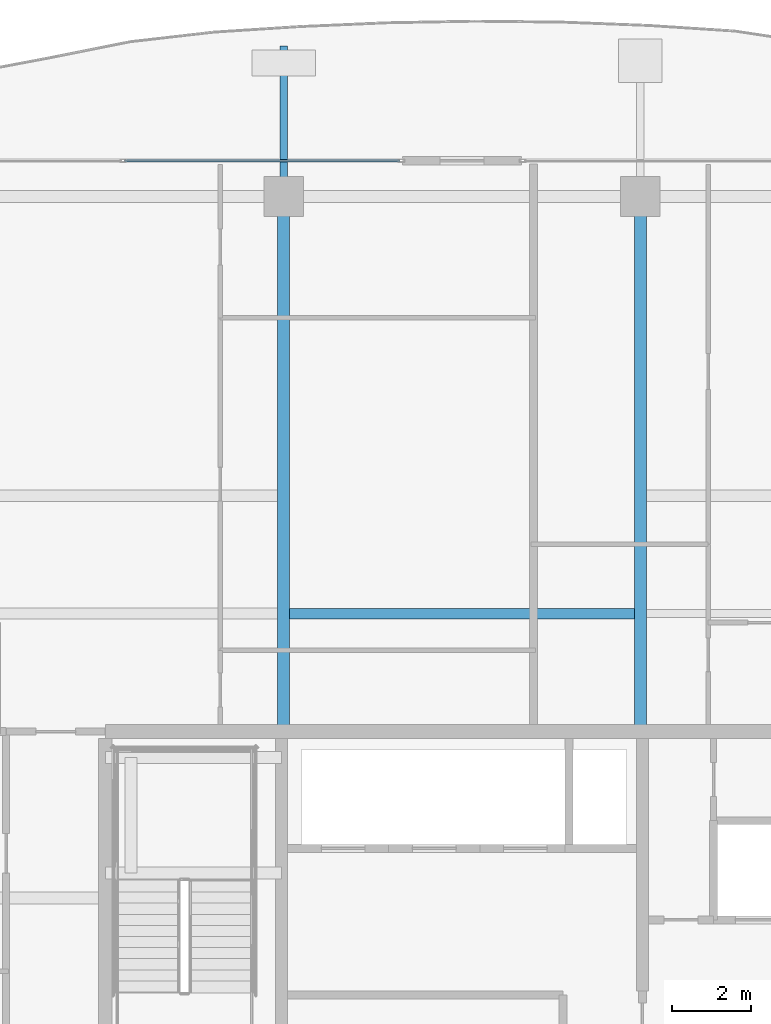
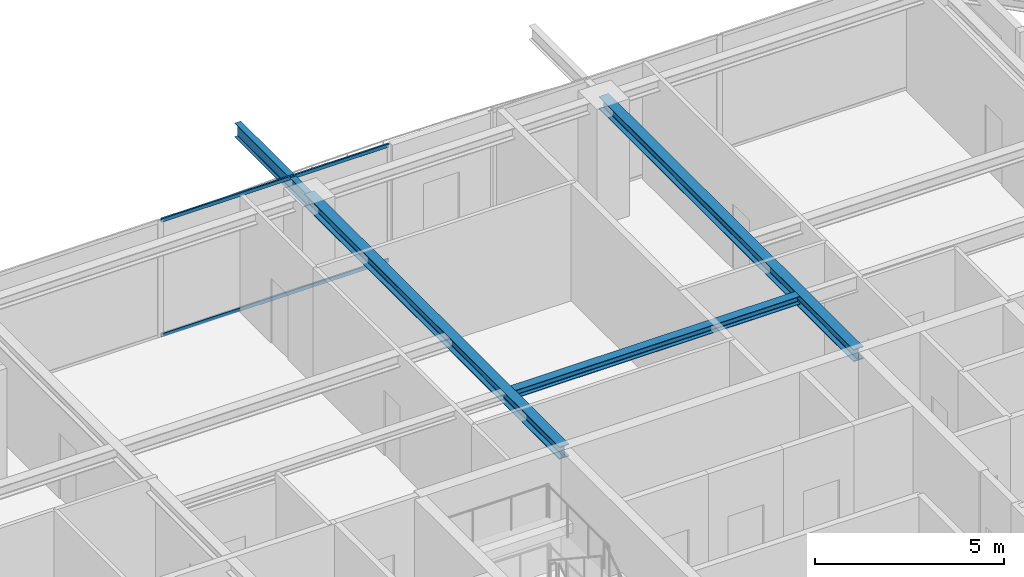
# One storey, part 22 of 39: 4 beams, 2 members, 1 element without a shape of its own.
"""IFC4 building model written with IfcOpenShell, lengths in metres."""

from ifc_helpers import new_model, si_unit, direction, frame, origin, origin_2d, place, context, subcontext, project, spatial, hollow_rectangle, i_section, extrude, source, transform, mapped, material, layer, layer_set, material_profile, profile_set, type_object, element, aggregate, save


model = new_model("IFC4")

# Units and contexts
model_context = context("Model", 3, precision=1e-05, world=origin(), true_north=direction((0.0, 1.0)))
body_context = subcontext(model_context, "Body", "Model", "MODEL_VIEW")
ifc_project = project(units=[si_unit("LENGTHUNIT", "METRE"), si_unit("AREAUNIT", "SQUARE_METRE"), si_unit("VOLUMEUNIT", "CUBIC_METRE"), si_unit("PLANEANGLEUNIT", "RADIAN"), si_unit("MASSUNIT", "GRAM", prefix="KILO")], contexts=[model_context])

# Site, building, storey
site_placement = place(None, origin())
site = spatial("IfcSite", under=ifc_project, at=site_placement, CompositionType="ELEMENT")
building_placement = place(site_placement, origin())
building = spatial("IfcBuilding", under=site, at=building_placement, Name="Serunith Strait Residences", CompositionType="ELEMENT")
storey_placement = place(building_placement, frame((0.0, 0.0, 329.89990234375)))
storey = spatial("IfcBuildingStorey", under=building, at=storey_placement, Name="L82", CompositionType="ELEMENT", Elevation=329.89990234375)

# Beams
ifc_material_1 = material(Name="Steel S355J2", Category="steel")
ifc_material_profile_1 = material_profile(ifc_material_1, i_section(OverallWidth=0.260009765625, OverallDepth=0.260009765625, WebThickness=0.010009765625, FlangeThickness=0.017578125, FilletRadius=0.02392578125, at=origin_2d()), Name="HEB 260")
ifc_profile_set_1 = profile_set([ifc_material_profile_1], Name="Steel S355J2")
beam_type_1 = type_object("IfcBeamType", Name="BM-HEB260", PredefinedType="JOIST", material=ifc_profile_set_1)
shared_shape_1 = source(origin(), body_context, "Body", "SweptSolid", [
    extrude(i_section(OverallWidth=0.260009765625, OverallDepth=0.260009765625, WebThickness=0.010009765625, FlangeThickness=0.017578125, FilletRadius=0.02392578125, at=origin_2d()), origin(), (0.0, 0.0, 1.0), 8.699951171875),
])
beam_1_placement = place(storey_placement, frame((28.050048828125, 36.574951171875, 3.656982421875), z_axis=(1.0, 0.0, 0.0), x_axis=(0.0, 1.0, 0.0)))
element("IfcBeam", 1, at=beam_1_placement, inside=storey, type_object=beam_type_1, Name="L82 Composite Floor Joist 05", PredefinedType="JOIST", context=body_context, shape_type="MappedRepresentation", body=[
    mapped(shared_shape_1, transform((0.0, 0.0, 0.0), scale=1.0)),
])
ifc_material_profile_2 = material_profile(ifc_material_1, i_section(OverallWidth=0.300048828125, OverallDepth=0.39990234375, WebThickness=0.013427734375, FlangeThickness=0.02392578125, FilletRadius=0.027099609375, at=origin_2d()), Name="HEB 400")
ifc_profile_set_2 = profile_set([ifc_material_profile_2], Name="Steel S355J2")
beam_type_2 = type_object("IfcBeamType", Name="BM-HEB400", PredefinedType="BEAM", material=ifc_profile_set_2)
shared_shape_2 = source(origin(), body_context, "Body", "SweptSolid", [
    extrude(i_section(OverallWidth=0.300048828125, OverallDepth=0.39990234375, WebThickness=0.013427734375, FlangeThickness=0.02392578125, FilletRadius=0.027099609375, at=origin_2d()), origin(), (0.0, 0.0, 1.0), 13.5),
])
for number, where, z_axis, x_axis, name in (
    (2, (27.89990234375, 33.60009765625, 3.587158203125), (0.0, 1.0, 0.0), (-1.0, 0.0, 0.0), "L82 Primary Floor Girder TC-N2"),
    (3, (36.89990234375, 33.60009765625, 3.587158203125), (0.0, 1.0, 0.0), (-1.0, 0.0, 0.0), "L82 Primary Floor Girder TC-N3"),
):
    element("IfcBeam", number, at=place(storey_placement, frame(where, z_axis=z_axis, x_axis=x_axis)), inside=storey, type_object=beam_type_2, Name=name, PredefinedType="BEAM", context=body_context, shape_type="MappedRepresentation", body=[
        mapped(shared_shape_2, transform((0.0, 0.0, 0.0), scale=1.0)),
    ])
ifc_material_profile_3 = material_profile(ifc_material_1, i_section(OverallWidth=0.18994140625, OverallDepth=0.449951171875, WebThickness=0.009521484375, FlangeThickness=0.0146484375, FilletRadius=0.02099609375, at=origin_2d()), Name="IPE 450")
ifc_profile_set_3 = profile_set([ifc_material_profile_3], Name="Steel S355J2")
beam_type_3 = type_object("IfcBeamType", Name="BM-IPE450", PredefinedType="JOIST", material=ifc_profile_set_3)
shared_shape_3 = source(origin(), body_context, "Body", "SweptSolid", [
    extrude(i_section(OverallWidth=0.18994140625, OverallDepth=0.449951171875, WebThickness=0.009521484375, FlangeThickness=0.0146484375, FilletRadius=0.02099609375, at=origin_2d()), origin(), (0.0, 0.0, 1.0), 3.7998046875),
])
beam_2_placement = place(storey_placement, frame((27.89990234375, 47.10009765625, 3.531982421875), z_axis=(0.0, 1.0, 0.0), x_axis=(-1.0, 0.0, 0.0)))
element("IfcBeam", 4, at=beam_2_placement, inside=storey, type_object=beam_type_3, Name="L83 Cantilevered Balcony Rib TC-N2", PredefinedType="JOIST", context=body_context, shape_type="MappedRepresentation", body=[
    mapped(shared_shape_3, transform((0.0, 0.0, 0.0), scale=1.0)),
])

# Curtain wall, members
ifc_material_2 = material(Name="Brushed Stainless-Silver Aluminium", Category="aluminium")
ifc_layer = layer(ifc_material_2, 0.199951171875, Name="Brushed Stainless-Silver Aluminium")
ifc_layer_set = layer_set([ifc_layer], Name="Brushed Stainless-Silver Aluminium")
curtain_wall_type = type_object("IfcCurtainWallType", Name="CW-SYS5", PredefinedType="NOTDEFINED", material=ifc_layer_set)
curtain_wall_placement = place(storey_placement, origin())
curtain_wall = element("IfcCurtainWall", 5, at=curtain_wall_placement, inside=storey, type_object=curtain_wall_type, Name="L82 N Unitised Fritted Curtain Wall", PredefinedType="NOTDEFINED")
ifc_material_profile_4 = material_profile(ifc_material_2, hollow_rectangle(XDim=0.06005859375, YDim=0.1201171875, WallThickness=0.00341796875, InnerFilletRadius=0.00537109375, OuterFilletRadius=0.0087890625, at=origin_2d()), Name="ALU 120x60x3.5")
ifc_profile_set_4 = profile_set([ifc_material_profile_4], Name="Brushed Stainless-Silver Aluminium")
member_type = type_object("IfcMemberType", Name="CW-SYS5-TRAN", PredefinedType="USERDEFINED", material=ifc_profile_set_4)
shared_shape_4 = source(origin(), body_context, "Body", "SweptSolid", [
    extrude(hollow_rectangle(XDim=0.06005859375, YDim=0.1201171875, WallThickness=0.00341796875, InnerFilletRadius=0.00537109375, OuterFilletRadius=0.0087890625, at=origin_2d()), origin(), (0.0, 0.0, 1.0), 6.952392578125),
])
member_1_placement = place(storey_placement, frame((30.8349609375, 48.0, 0.030029296875), z_axis=(-1.0, 0.0, 0.0), x_axis=(0.0, -1.0, 0.0)))
member_1 = element("IfcMember", 6, at=member_1_placement, type_object=member_type, Name="CW-5 transom 1.1", ObjectType="TRANSOM", PredefinedType="USERDEFINED", context=body_context, shape_type="MappedRepresentation", body=[
    mapped(shared_shape_4, transform((0.0, 0.0, 0.0), scale=1.0)),
])
member_2_placement = place(storey_placement, frame((30.8349609375, 48.0, 3.7451171875), z_axis=(-1.0, 0.0, 0.0), x_axis=(0.0, -1.0, 0.0)))
member_2 = element("IfcMember", 7, at=member_2_placement, type_object=member_type, Name="CW-5 transom 1.2", ObjectType="TRANSOM", PredefinedType="USERDEFINED", context=body_context, shape_type="MappedRepresentation", body=[
    mapped(shared_shape_4, transform((0.0, 0.0, 0.0), scale=1.0)),
])
aggregate(curtain_wall, [member_1, member_2])

save(model, "model.ifc")
